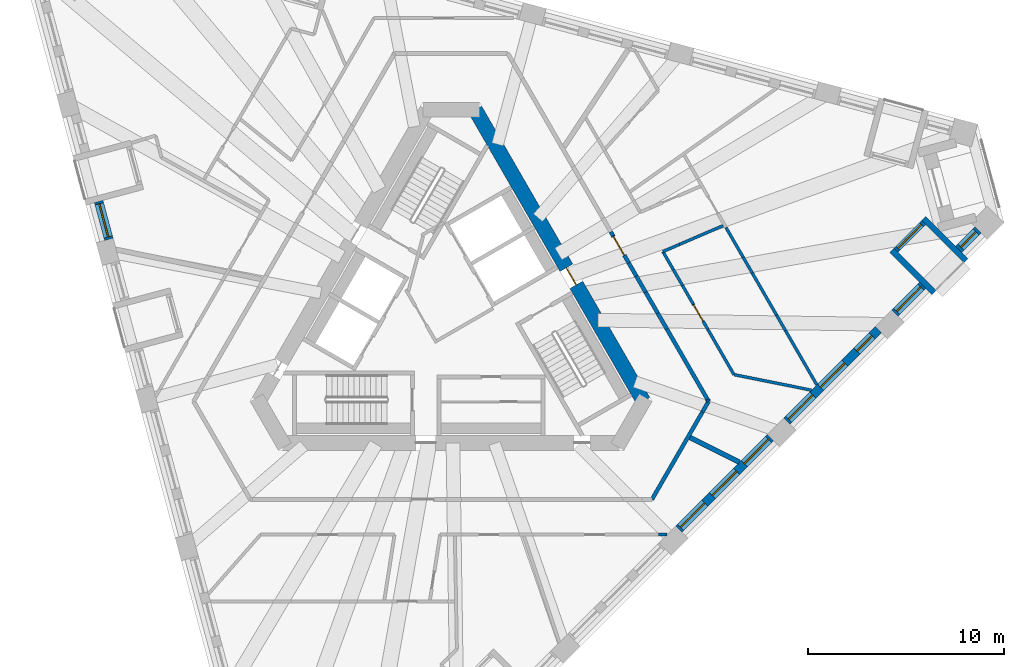
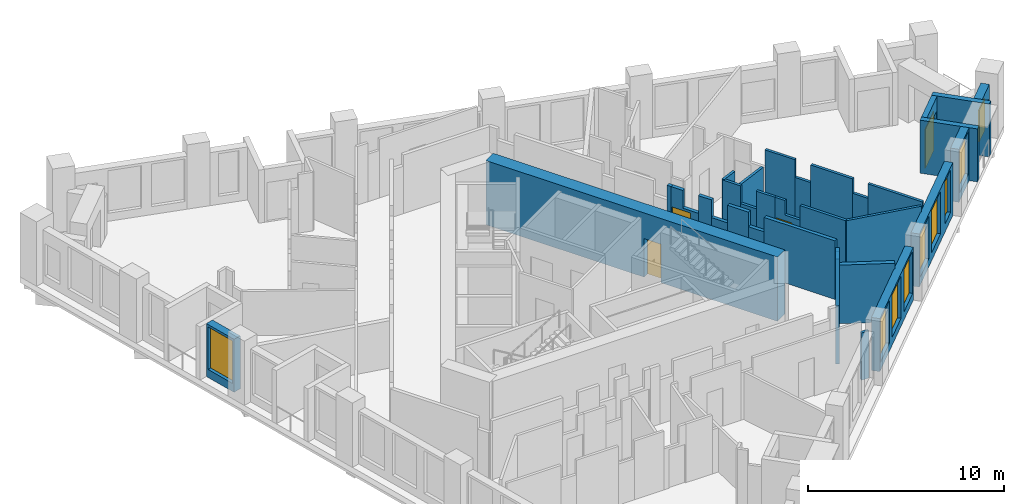
# One storey, part 5 of 13: 34 walls, 9 windows, 4 doors, 13 openings.
"""IFC4 building model written with IfcOpenShell, lengths in metres."""

from ifc_helpers import new_model, si_unit, direction, frame, frame_2d, origin, place, context, subcontext, project, spatial, polyline, rectangle, outline, extrude, material, layer, layer_set, type_object, element, fill, save


model = new_model("IFC4")

# Units and contexts
model_context = context("Model", 3, precision=1e-05, world=origin(), true_north=direction((0.0, 1.0)))
body_context = subcontext(model_context, "Body", "Model", "MODEL_VIEW")
ifc_project = project(units=[si_unit("LENGTHUNIT", "METRE"), si_unit("AREAUNIT", "SQUARE_METRE"), si_unit("VOLUMEUNIT", "CUBIC_METRE"), si_unit("PLANEANGLEUNIT", "RADIAN"), si_unit("MASSUNIT", "GRAM", prefix="KILO")], contexts=[model_context])

# Site, building, storey
site_placement = place(None, origin())
site = spatial("IfcSite", under=ifc_project, at=site_placement, CompositionType="ELEMENT")
building_placement = place(site_placement, origin())
building = spatial("IfcBuilding", under=site, at=building_placement, Name="Tramontana Tower", CompositionType="ELEMENT")
storey_placement = place(building_placement, frame((0.0, 0.0, 224.0)))
storey = spatial("IfcBuildingStorey", under=building, at=storey_placement, Name="L52", CompositionType="ELEMENT", Elevation=224.0)

# Wall, opening, door
ifc_material_1 = material(Name="Concrete 70 MPa", Category="concrete")
ifc_layer_1 = layer(ifc_material_1, 0.75)
ifc_layer_set_1 = layer_set([ifc_layer_1], Name="Core wall 750 70 MPa")
wall_type_1 = type_object("IfcWallType", Name="Core wall 750 70 MPa", PredefinedType="SHEAR", material=ifc_layer_set_1)
wall_1_placement = place(storey_placement, frame((9.81494140625, -4.25, 0.0), z_axis=(0.0, 0.0, 1.0), x_axis=(-0.500002161919, 0.866024155596, 0.0)))
wall_1 = element("IfcWall", 1, at=wall_1_placement, inside=storey, type_object=wall_type_1, Name="Core wall C5 L52", PredefinedType="SHEAR", context=body_context, shape_type="SweptSolid", body=[
    extrude(rectangle(XDim=17.17626953125, YDim=0.75, at=frame_2d((8.588134765625, 0.0))), origin(), (0.0, 0.0, 1.0), 4.0),
])
opening_1_placement = place(wall_1_placement, frame((6.863037109375, 0.0, 0.0)))
opening_1 = element("IfcOpeningElement", 2, at=opening_1_placement, cuts=wall_1, Name="Opening RG3", PredefinedType="OPENING", context=body_context, shape_type="SweptSolid", body=[
    extrude(rectangle(XDim=1.0, YDim=2.39990234375, at=frame_2d((0.5, 1.199951171875))), frame((0.0, 0.385009765625, 0.0), z_axis=(0.0, -1.0, 0.0), x_axis=(1.0, 0.0, 0.0)), (0.0, 0.0, 1.0), 0.77001953125),
])
ifc_material_2 = material(Name="Painted steel", Category="steel")
door_type_1 = type_object("IfcDoorType", Name="RING DOOR 1000", OperationType="SINGLE_SWING_LEFT", PredefinedType="DOOR", material=ifc_material_2)
door_1_placement = place(opening_1_placement, origin())
door_1 = element("IfcDoor", 3, at=door_1_placement, inside=storey, type_object=door_type_1, Name="Door RG3", OperationType="SINGLE_SWING_RIGHT", OverallHeight=2.39990234375, OverallWidth=1.0, PredefinedType="DOOR", context=body_context, shape_type="SweptSolid", body=[
    extrude(rectangle(XDim=1.0, YDim=2.39990234375, at=frame_2d((0.5, 1.199951171875))), frame((0.0, 0.02490234375, 0.0), z_axis=(0.0, -1.0, 0.0), x_axis=(1.0, 0.0, 0.0)), (0.0, 0.0, 1.0), 0.050048828125),
])
fill(opening_1, door_1)

# Wall
ifc_material_3 = material(Name="Blockwork", Category="masonry")
ifc_layer_2 = layer(ifc_material_3, 0.199951171875)
ifc_layer_set_2 = layer_set([ifc_layer_2], Name="ENTRY WALL 200")
wall_type_2 = type_object("IfcWallType", Name="ENTRY WALL 200", PredefinedType="SOLIDWALL", material=ifc_layer_set_2)
wall_2_placement = place(storey_placement, frame((8.143310546875, 4.3955078125, 0.0), z_axis=(0.0, 0.0, 1.0), x_axis=(0.499230902886, -0.866468987099, 0.0)))
element("IfcWall", 4, at=wall_2_placement, inside=storey, type_object=wall_type_2, Name="Wall v52-ew0-6", PredefinedType="SOLIDWALL", context=body_context, shape_type="SweptSolid", body=[
    extrude(rectangle(XDim=0.229248046875, YDim=0.199951171875, at=frame_2d((0.11474609375, 0.0))), origin(), (0.0, 0.0, 1.0), 3.64990234375),
])

# Wall, opening, door
wall_3_placement = place(storey_placement, frame((8.2578125, 4.19677734375, 0.0), z_axis=(0.0, 0.0, 1.0), x_axis=(0.500138504756, -0.865945423257, 0.0)))
wall_3 = element("IfcWall", 5, at=wall_3_placement, inside=storey, type_object=wall_type_2, Name="Wall v52-ew0-7", PredefinedType="SOLIDWALL", context=body_context, shape_type="SweptSolid", body=[
    extrude(outline(polyline([(0.0, 0.0), (1.6083984375, 0.0), (1.608642578125, 2.550048828125), (0.6943359375, 2.550048828125), (0.6943359375, 3.64990234375), (0.0, 3.64990234375), (0.0, 0.0)])), frame((0.0, 0.10009765625, 0.0), z_axis=(0.0, -1.0, 0.0), x_axis=(1.0, 0.0, 0.0)), (0.0, 0.0, 1.0), 0.199951171875),
])
opening_2_placement = place(wall_3_placement, frame((0.050048828125, 0.0, 0.0)))
opening_2 = element("IfcOpeningElement", 6, at=opening_2_placement, cuts=wall_3, Name="Opening B5C-19", PredefinedType="OPENING", context=body_context, shape_type="SweptSolid", body=[
    extrude(rectangle(XDim=1.10009765625, YDim=2.39990234375, at=frame_2d((0.550048828125, 1.199951171875))), frame((0.0, 0.10986328125, 0.0), z_axis=(0.0, -1.0, 0.0), x_axis=(1.0, 0.0, 0.0)), (0.0, 0.0, 1.0), 0.219970703125),
])
ifc_material_4 = material(Name="Painted timber", Category="wood")
door_type_2 = type_object("IfcDoorType", Name="DOOR ENTRY 1100", OperationType="SINGLE_SWING_LEFT", PredefinedType="DOOR", material=ifc_material_4)
door_2_placement = place(opening_2_placement, origin())
door_2 = element("IfcDoor", 7, at=door_2_placement, inside=storey, type_object=door_type_2, Name="Door B5C-19", OperationType="SINGLE_SWING_LEFT", OverallHeight=2.39990234375, OverallWidth=1.10009765625, PredefinedType="DOOR", context=body_context, shape_type="SweptSolid", body=[
    extrude(rectangle(XDim=1.10009765625, YDim=2.39990234375, at=frame_2d((0.550048828125, 1.199951171875))), frame((0.0, 0.02490234375, 0.0), z_axis=(0.0, -1.0, 0.0), x_axis=(1.0, 0.0, 0.0)), (0.0, 0.0, 1.0), 0.050048828125),
])
fill(opening_2, door_2)

# Walls
wall_4_placement = place(storey_placement, frame((9.062255859375, 2.803955078125, 0.0), z_axis=(0.0, 0.0, 1.0), x_axis=(0.499997253739, -0.866026989333, 0.0)))
element("IfcWall", 8, at=wall_4_placement, inside=storey, type_object=wall_type_2, Name="Wall v52-ew0-8", PredefinedType="SOLIDWALL", context=body_context, shape_type="SweptSolid", body=[
    extrude(rectangle(XDim=0.76904296875, YDim=0.199951171875, at=frame_2d((0.384521484375, 0.0))), origin(), (0.0, 0.0, 1.0), 3.64990234375),
])
wall_5_placement = place(storey_placement, frame((9.44677734375, 2.137939453125, 0.0), z_axis=(0.0, 0.0, 1.0), x_axis=(0.499869636591, -0.866100656052, 0.0)))
element("IfcWall", 9, at=wall_5_placement, inside=storey, type_object=wall_type_2, Name="Wall v52-ew0-9", PredefinedType="SOLIDWALL", context=body_context, shape_type="SweptSolid", body=[
    extrude(rectangle(XDim=0.957275390625, YDim=0.199951171875, at=frame_2d((0.478515625, 0.0))), origin(), (0.0, 0.0, 1.0), 2.550048828125),
])
wall_6_placement = place(storey_placement, frame((9.92529296875, 1.308837890625, 0.0), z_axis=(0.0, 0.0, 1.0), x_axis=(0.500055461028, -0.865993380977, 0.0)))
element("IfcWall", 10, at=wall_6_placement, inside=storey, type_object=wall_type_2, Name="Wall v52-ew0-10", PredefinedType="SOLIDWALL", context=body_context, shape_type="SweptSolid", body=[
    extrude(rectangle(XDim=1.226806640625, YDim=0.199951171875, at=frame_2d((0.61328125, 0.0))), origin(), (0.0, 0.0, 1.0), 3.64990234375),
])
wall_7_placement = place(storey_placement, frame((10.538818359375, 0.246337890625, 0.0), z_axis=(0.0, 0.0, 1.0), x_axis=(0.499971966783, -0.866041588165, 0.0)))
element("IfcWall", 11, at=wall_7_placement, inside=storey, type_object=wall_type_2, Name="Wall v52-ew0-11", PredefinedType="SOLIDWALL", context=body_context, shape_type="SweptSolid", body=[
    extrude(rectangle(XDim=0.931640625, YDim=0.199951171875, at=frame_2d((0.4658203125, 0.0))), origin(), (0.0, 0.0, 1.0), 2.75),
])
wall_8_placement = place(storey_placement, frame((11.004638671875, -0.560546875, 0.0), z_axis=(0.0, 0.0, 1.0), x_axis=(0.499993700073, -0.866029041019, 0.0)))
element("IfcWall", 12, at=wall_8_placement, inside=storey, type_object=wall_type_2, Name="Wall v52-ew0-12", PredefinedType="SOLIDWALL", context=body_context, shape_type="SweptSolid", body=[
    extrude(rectangle(XDim=4.1552734375, YDim=0.199951171875, at=frame_2d((2.07763671875, 0.0))), origin(), (0.0, 0.0, 1.0), 3.64990234375),
])
wall_9_placement = place(storey_placement, frame((13.082275390625, -4.1591796875, 0.0), z_axis=(0.0, 0.0, 1.0), x_axis=(0.500393920955, -0.865797853931, 0.0)))
element("IfcWall", 13, at=wall_9_placement, inside=storey, type_object=wall_type_2, Name="Wall v52-ew0-13", PredefinedType="SOLIDWALL", context=body_context, shape_type="SweptSolid", body=[
    extrude(rectangle(XDim=0.10498046875, YDim=0.199951171875, at=frame_2d((0.052490234375, 0.0))), origin(), (0.0, 0.0, 1.0), 2.949951171875),
])
wall_10_placement = place(storey_placement, frame((13.134765625, -4.25, 0.0), z_axis=(0.0, 0.0, 1.0), x_axis=(-0.500018234033, -0.866014876105, 0.0)))
element("IfcWall", 14, at=wall_10_placement, inside=storey, type_object=wall_type_2, Name="Wall v52-ew1-0", PredefinedType="SOLIDWALL", context=body_context, shape_type="SweptSolid", body=[
    extrude(rectangle(XDim=0.64306640625, YDim=0.199951171875, at=frame_2d((0.321533203125, 0.0))), origin(), (0.0, 0.0, 1.0), 2.949951171875),
])
wall_11_placement = place(storey_placement, frame((12.813232421875, -4.806884765625, 0.0), z_axis=(0.0, 0.0, 1.0), x_axis=(-0.499992949462, -0.866029474376, 0.0)))
element("IfcWall", 15, at=wall_11_placement, inside=storey, type_object=wall_type_2, Name="Wall v52-ew1-1", PredefinedType="SOLIDWALL", context=body_context, shape_type="SweptSolid", body=[
    extrude(rectangle(XDim=5.13037109375, YDim=0.199951171875, at=frame_2d((2.565185546875, 0.0))), origin(), (0.0, 0.0, 1.0), 3.64990234375),
])

# Wall, opening, window
ifc_material_5 = material(Name="Precast concrete 60 MPa", Category="concrete")
ifc_layer_3 = layer(ifc_material_5, 0.449951171875)
ifc_layer_set_3 = layer_set([ifc_layer_3], Name="Precast concrete 60 MPa, 450 mm")
wall_type_3 = type_object("IfcWallType", Name="EW1 Stone-faced precast wall 450", PredefinedType="SOLIDWALL", material=ifc_layer_set_3)
wall_12_placement = place(storey_placement, frame((-17.9755859375, 5.9423828125, 0.0), z_axis=(0.0, 0.0, 1.0), x_axis=(0.25891727291, -0.965899500874, 0.0)))
wall_12 = element("IfcWall", 16, at=wall_12_placement, inside=storey, type_object=wall_type_3, Name="External wall L52 face 0 bay 2", PredefinedType="SOLIDWALL", context=body_context, shape_type="SweptSolid", body=[
    extrude(rectangle(XDim=1.998046875, YDim=0.449951171875, at=frame_2d((0.9990234375, 0.0))), origin(), (0.0, 0.0, 1.0), 3.300048828125),
])
opening_3_placement = place(wall_12_placement, frame((0.1240234375, 0.0, 0.5)))
opening_3 = element("IfcOpeningElement", 17, at=opening_3_placement, cuts=wall_12, Name="Opening M2", PredefinedType="OPENING", context=body_context, shape_type="SweptSolid", body=[
    extrude(rectangle(XDim=1.75, YDim=2.64990234375, at=frame_2d((0.875, 1.324951171875))), frame((0.0, 0.23486328125, 0.0), z_axis=(0.0, -1.0, 0.0), x_axis=(1.0, 0.0, 0.0)), (0.0, 0.0, 1.0), 0.469970703125),
])
ifc_material_6 = material(Name="Aluminum frame, double glazing unit", Category="aluminium")
window_type_1 = type_object("IfcWindowType", Name="M2 Window 1.75 x 2.65", PartitioningType="SINGLE_PANEL", PredefinedType="WINDOW", material=ifc_material_6)
window_1_placement = place(opening_3_placement, origin())
window_1 = element("IfcWindow", 18, at=window_1_placement, inside=storey, type_object=window_type_1, Name="Window M2 L52 face 0 module 6", OverallHeight=2.64990234375, OverallWidth=1.75, PartitioningType="SINGLE_PANEL", PredefinedType="WINDOW", context=body_context, shape_type="SweptSolid", body=[
    extrude(rectangle(XDim=1.75, YDim=2.64990234375, at=frame_2d((0.875, 1.324951171875))), frame((0.0, 0.030029296875, 0.0), z_axis=(0.0, -1.0, 0.0), x_axis=(1.0, 0.0, 0.0)), (0.0, 0.0, 1.0), 0.06005859375),
])
fill(opening_3, window_1)

# Wall, openings, windows
wall_13_placement = place(storey_placement, frame((11.6142578125, -10.765625, 0.0), z_axis=(0.0, 0.0, 1.0), x_axis=(0.707106781187, 0.707106781187, 0.0)))
wall_13 = element("IfcWall", 19, at=wall_13_placement, inside=storey, type_object=wall_type_3, Name="External wall L52 face 1 bay 4", PredefinedType="SOLIDWALL", context=body_context, shape_type="SweptSolid", body=[
    extrude(rectangle(XDim=6.59423828125, YDim=0.449951171875, at=frame_2d((3.297119140625, 0.0))), origin(), (0.0, 0.0, 1.0), 3.300048828125),
])
opening_4_placement = place(wall_13_placement, frame((0.1240234375, 0.0, 0.5)))
opening_4 = element("IfcOpeningElement", 20, at=opening_4_placement, cuts=wall_13, Name="Opening M2", PredefinedType="OPENING", context=body_context, shape_type="SweptSolid", body=[
    extrude(rectangle(XDim=1.75, YDim=2.64990234375, at=frame_2d((0.875, 1.324951171875))), frame((0.0, 0.23486328125, 0.0), z_axis=(0.0, -1.0, 0.0), x_axis=(1.0, 0.0, 0.0)), (0.0, 0.0, 1.0), 0.469970703125),
])
opening_5_placement = place(wall_13_placement, frame((2.422119140625, 0.0, 0.5)))
opening_5 = element("IfcOpeningElement", 21, at=opening_5_placement, cuts=wall_13, Name="Opening M2", PredefinedType="OPENING", context=body_context, shape_type="SweptSolid", body=[
    extrude(rectangle(XDim=1.75, YDim=2.64990234375, at=frame_2d((0.875, 1.324951171875))), frame((0.0, 0.23486328125, 0.0), z_axis=(0.0, -1.0, 0.0), x_axis=(1.0, 0.0, 0.0)), (0.0, 0.0, 1.0), 0.469970703125),
])
opening_6_placement = place(wall_13_placement, frame((4.72021484375, 0.0, 0.5)))
opening_6 = element("IfcOpeningElement", 22, at=opening_6_placement, cuts=wall_13, Name="Opening M2", PredefinedType="OPENING", context=body_context, shape_type="SweptSolid", body=[
    extrude(rectangle(XDim=1.75, YDim=2.64990234375, at=frame_2d((0.875, 1.324951171875))), frame((0.0, 0.23486328125, 0.0), z_axis=(0.0, -1.0, 0.0), x_axis=(1.0, 0.0, 0.0)), (0.0, 0.0, 1.0), 0.469970703125),
])
window_2_placement = place(opening_4_placement, origin())
window_2 = element("IfcWindow", 23, at=window_2_placement, inside=storey, type_object=window_type_1, Name="Window M2 L52 face 1 module 10", OverallHeight=2.64990234375, OverallWidth=1.75, PartitioningType="SINGLE_PANEL", PredefinedType="WINDOW", context=body_context, shape_type="SweptSolid", body=[
    extrude(rectangle(XDim=1.75, YDim=2.64990234375, at=frame_2d((0.875, 1.324951171875))), frame((0.0, 0.030029296875, 0.0), z_axis=(0.0, -1.0, 0.0), x_axis=(1.0, 0.0, 0.0)), (0.0, 0.0, 1.0), 0.06005859375),
])
fill(opening_4, window_2)
window_3_placement = place(opening_5_placement, origin())
window_3 = element("IfcWindow", 24, at=window_3_placement, inside=storey, type_object=window_type_1, Name="Window M2 L52 face 1 module 11", OverallHeight=2.64990234375, OverallWidth=1.75, PartitioningType="SINGLE_PANEL", PredefinedType="WINDOW", context=body_context, shape_type="SweptSolid", body=[
    extrude(rectangle(XDim=1.75, YDim=2.64990234375, at=frame_2d((0.875, 1.324951171875))), frame((0.0, 0.030029296875, 0.0), z_axis=(0.0, -1.0, 0.0), x_axis=(1.0, 0.0, 0.0)), (0.0, 0.0, 1.0), 0.06005859375),
])
fill(opening_5, window_3)
window_4_placement = place(opening_6_placement, origin())
window_4 = element("IfcWindow", 25, at=window_4_placement, inside=storey, type_object=window_type_1, Name="Window M2 L52 face 1 module 12", OverallHeight=2.64990234375, OverallWidth=1.75, PartitioningType="SINGLE_PANEL", PredefinedType="WINDOW", context=body_context, shape_type="SweptSolid", body=[
    extrude(rectangle(XDim=1.75, YDim=2.64990234375, at=frame_2d((0.875, 1.324951171875))), frame((0.0, 0.030029296875, 0.0), z_axis=(0.0, -1.0, 0.0), x_axis=(1.0, 0.0, 0.0)), (0.0, 0.0, 1.0), 0.06005859375),
])
fill(opening_6, window_4)

wall_14_placement = place(storey_placement, frame((17.12548828125, -5.25439453125, 0.0), z_axis=(0.0, 0.0, 1.0), x_axis=(0.707106781187, 0.707106781187, 0.0)))
wall_14 = element("IfcWall", 26, at=wall_14_placement, inside=storey, type_object=wall_type_3, Name="External wall L52 face 1 bay 5", PredefinedType="SOLIDWALL", context=body_context, shape_type="SweptSolid", body=[
    extrude(rectangle(XDim=6.59423828125, YDim=0.449951171875, at=frame_2d((3.297119140625, 0.0))), origin(), (0.0, 0.0, 1.0), 3.300048828125),
])
opening_7_placement = place(wall_14_placement, frame((0.1240234375, 0.0, 0.5)))
opening_7 = element("IfcOpeningElement", 27, at=opening_7_placement, cuts=wall_14, Name="Opening M2", PredefinedType="OPENING", context=body_context, shape_type="SweptSolid", body=[
    extrude(rectangle(XDim=1.75, YDim=2.64990234375, at=frame_2d((0.875, 1.324951171875))), frame((0.0, 0.23486328125, 0.0), z_axis=(0.0, -1.0, 0.0), x_axis=(1.0, 0.0, 0.0)), (0.0, 0.0, 1.0), 0.469970703125),
])
opening_8_placement = place(wall_14_placement, frame((2.422119140625, 0.0, 0.5)))
opening_8 = element("IfcOpeningElement", 28, at=opening_8_placement, cuts=wall_14, Name="Opening M2", PredefinedType="OPENING", context=body_context, shape_type="SweptSolid", body=[
    extrude(rectangle(XDim=1.75, YDim=2.64990234375, at=frame_2d((0.875, 1.324951171875))), frame((0.0, 0.23486328125, 0.0), z_axis=(0.0, -1.0, 0.0), x_axis=(1.0, 0.0, 0.0)), (0.0, 0.0, 1.0), 0.469970703125),
])
opening_9_placement = place(wall_14_placement, frame((5.045166015625, 0.0, 0.5)))
opening_9 = element("IfcOpeningElement", 29, at=opening_9_placement, cuts=wall_14, Name="Opening N2", PredefinedType="OPENING", context=body_context, shape_type="SweptSolid", body=[
    extrude(rectangle(XDim=1.10009765625, YDim=2.64990234375, at=frame_2d((0.550048828125, 1.324951171875))), frame((0.0, 0.23486328125, 0.0), z_axis=(0.0, -1.0, 0.0), x_axis=(1.0, 0.0, 0.0)), (0.0, 0.0, 1.0), 0.469970703125),
])
window_5_placement = place(opening_7_placement, origin())
window_5 = element("IfcWindow", 30, at=window_5_placement, inside=storey, type_object=window_type_1, Name="Window M2 L52 face 1 module 13", OverallHeight=2.64990234375, OverallWidth=1.75, PartitioningType="SINGLE_PANEL", PredefinedType="WINDOW", context=body_context, shape_type="SweptSolid", body=[
    extrude(rectangle(XDim=1.75, YDim=2.64990234375, at=frame_2d((0.875, 1.324951171875))), frame((0.0, 0.030029296875, 0.0), z_axis=(0.0, -1.0, 0.0), x_axis=(1.0, 0.0, 0.0)), (0.0, 0.0, 1.0), 0.06005859375),
])
fill(opening_7, window_5)
window_6_placement = place(opening_8_placement, origin())
window_6 = element("IfcWindow", 31, at=window_6_placement, inside=storey, type_object=window_type_1, Name="Window M2 L52 face 1 module 14", OverallHeight=2.64990234375, OverallWidth=1.75, PartitioningType="SINGLE_PANEL", PredefinedType="WINDOW", context=body_context, shape_type="SweptSolid", body=[
    extrude(rectangle(XDim=1.75, YDim=2.64990234375, at=frame_2d((0.875, 1.324951171875))), frame((0.0, 0.030029296875, 0.0), z_axis=(0.0, -1.0, 0.0), x_axis=(1.0, 0.0, 0.0)), (0.0, 0.0, 1.0), 0.06005859375),
])
fill(opening_8, window_6)
ifc_material_7 = material(Name="Aluminum frame, double glazing unit", Category="aluminium")
window_type_2 = type_object("IfcWindowType", Name="N2 Window 1.1 x 2.65", PartitioningType="SINGLE_PANEL", PredefinedType="WINDOW", material=ifc_material_7)
window_7_placement = place(opening_9_placement, origin())
window_7 = element("IfcWindow", 32, at=window_7_placement, inside=storey, type_object=window_type_2, Name="Window N2 L52 face 1 module 15", OverallHeight=2.64990234375, OverallWidth=1.10009765625, PartitioningType="SINGLE_PANEL", PredefinedType="WINDOW", context=body_context, shape_type="SweptSolid", body=[
    extrude(rectangle(XDim=1.10009765625, YDim=2.64990234375, at=frame_2d((0.550048828125, 1.324951171875))), frame((0.0, 0.030029296875, 0.0), z_axis=(0.0, -1.0, 0.0), x_axis=(1.0, 0.0, 0.0)), (0.0, 0.0, 1.0), 0.06005859375),
])
fill(opening_9, window_7)

# Wall, opening, window
wall_15_placement = place(storey_placement, frame((22.636962890625, 0.257080078125, 0.0), z_axis=(0.0, 0.0, 1.0), x_axis=(0.707106781187, 0.707106781187, 0.0)))
wall_15 = element("IfcWall", 33, at=wall_15_placement, inside=storey, type_object=wall_type_3, Name="External wall L52 face 1 bay 6", PredefinedType="SOLIDWALL", context=body_context, shape_type="SweptSolid", body=[
    extrude(rectangle(XDim=1.998046875, YDim=0.449951171875, at=frame_2d((0.9990234375, 0.0))), origin(), (0.0, 0.0, 1.0), 3.300048828125),
])
opening_10_placement = place(wall_15_placement, frame((0.1240234375, 0.0, 0.5)))
opening_10 = element("IfcOpeningElement", 34, at=opening_10_placement, cuts=wall_15, Name="Opening M2", PredefinedType="OPENING", context=body_context, shape_type="SweptSolid", body=[
    extrude(rectangle(XDim=1.75, YDim=2.64990234375, at=frame_2d((0.875, 1.324951171875))), frame((0.0, 0.23486328125, 0.0), z_axis=(0.0, -1.0, 0.0), x_axis=(1.0, 0.0, 0.0)), (0.0, 0.0, 1.0), 0.469970703125),
])
window_8_placement = place(opening_10_placement, origin())
window_8 = element("IfcWindow", 35, at=window_8_placement, inside=storey, type_object=window_type_1, Name="Window M2 L52 face 1 module 16", OverallHeight=2.64990234375, OverallWidth=1.75, PartitioningType="SINGLE_PANEL", PredefinedType="WINDOW", context=body_context, shape_type="SweptSolid", body=[
    extrude(rectangle(XDim=1.75, YDim=2.64990234375, at=frame_2d((0.875, 1.324951171875))), frame((0.0, 0.030029296875, 0.0), z_axis=(0.0, -1.0, 0.0), x_axis=(1.0, 0.0, 0.0)), (0.0, 0.0, 1.0), 0.06005859375),
])
fill(opening_10, window_8)

wall_16_placement = place(storey_placement, frame((25.886962890625, 3.507080078125, 0.0), z_axis=(0.0, 0.0, 1.0), x_axis=(0.707106781187, 0.707106781187, 0.0)))
wall_16 = element("IfcWall", 36, at=wall_16_placement, inside=storey, type_object=wall_type_3, Name="External wall L52 face 1 bay 6", PredefinedType="SOLIDWALL", context=body_context, shape_type="SweptSolid", body=[
    extrude(rectangle(XDim=1.39794921875, YDim=0.449951171875, at=frame_2d((0.698974609375, 0.0))), origin(), (0.0, 0.0, 1.0), 3.300048828125),
])
opening_11_placement = place(wall_16_placement, frame((0.14892578125, 0.0, 0.5)))
opening_11 = element("IfcOpeningElement", 37, at=opening_11_placement, cuts=wall_16, Name="Opening N2L", PredefinedType="OPENING", context=body_context, shape_type="SweptSolid", body=[
    extrude(rectangle(XDim=1.10009765625, YDim=2.0, at=frame_2d((0.550048828125, 1.0))), frame((0.0, 0.23486328125, 0.0), z_axis=(0.0, -1.0, 0.0), x_axis=(1.0, 0.0, 0.0)), (0.0, 0.0, 1.0), 0.469970703125),
])
ifc_material_8 = material(Name="Aluminum frame, double glazing unit", Category="aluminium")
window_type_3 = type_object("IfcWindowType", Name="N2L Window 1.1 x 2", PartitioningType="SINGLE_PANEL", PredefinedType="WINDOW", material=ifc_material_8)
window_9_placement = place(opening_11_placement, origin())
window_9 = element("IfcWindow", 38, at=window_9_placement, inside=storey, type_object=window_type_3, Name="Window N2L L52 face 1 module 18", OverallHeight=2.0, OverallWidth=1.10009765625, PartitioningType="SINGLE_PANEL", PredefinedType="WINDOW", context=body_context, shape_type="SweptSolid", body=[
    extrude(rectangle(XDim=1.10009765625, YDim=2.0, at=frame_2d((0.550048828125, 1.0))), frame((0.0, 0.030029296875, 0.0), z_axis=(0.0, -1.0, 0.0), x_axis=(1.0, 0.0, 0.0)), (0.0, 0.0, 1.0), 0.06005859375),
])
fill(opening_11, window_9)

# Wall, opening, door
ifc_material_9 = material(Name="Precast concrete 60 MPa", Category="concrete")
ifc_layer_4 = layer(ifc_material_9, 0.300048828125)
ifc_layer_set_4 = layer_set([ifc_layer_4], Name="LW1 Stone-faced loggia wall 300")
wall_type_4 = type_object("IfcWallType", Name="LW1 Stone-faced loggia wall 300", PredefinedType="SOLIDWALL", material=ifc_layer_set_4)
wall_17_placement = place(storey_placement, frame((22.688720703125, 3.455322265625, 0.0), z_axis=(0.0, 0.0, 1.0), x_axis=(0.707106781187, 0.707106781187, 0.0)))
wall_17 = element("IfcWall", 39, at=wall_17_placement, inside=storey, type_object=wall_type_4, Name="Loggia wall L52 G5S1.16", PredefinedType="SOLIDWALL", context=body_context, shape_type="SweptSolid", body=[
    extrude(rectangle(XDim=1.998046875, YDim=0.300048828125, at=frame_2d((0.9990234375, 0.0))), origin(), (0.0, 0.0, 1.0), 3.300048828125),
])
opening_12_placement = place(wall_17_placement, frame((0.14892578125, 0.0, 0.0)))
opening_12 = element("IfcOpeningElement", 40, at=opening_12_placement, cuts=wall_17, Name="Opening BD-5S1-16", PredefinedType="OPENING", context=body_context, shape_type="SweptSolid", body=[
    extrude(rectangle(XDim=1.699951171875, YDim=2.449951171875, at=frame_2d((0.85009765625, 1.22509765625))), frame((0.0, 0.159912109375, 0.0), z_axis=(0.0, -1.0, 0.0), x_axis=(1.0, 0.0, 0.0)), (0.0, 0.0, 1.0), 0.320068359375),
])
ifc_material_10 = material(Name="Aluminum frame, double glazing unit", Category="aluminium")
door_type_3 = type_object("IfcDoorType", Name="BD2 Sliding door 1.7 x 2.45", OperationType="SLIDING_TO_LEFT", PredefinedType="DOOR", material=ifc_material_10)
door_3_placement = place(opening_12_placement, origin())
door_3 = element("IfcDoor", 41, at=door_3_placement, inside=storey, type_object=door_type_3, Name="Loggia door L52 G5S1.16", OperationType="SLIDING_TO_LEFT", OverallHeight=2.449951171875, OverallWidth=1.699951171875, PredefinedType="DOOR", context=body_context, shape_type="SweptSolid", body=[
    extrude(rectangle(XDim=1.699951171875, YDim=2.449951171875, at=frame_2d((0.85009765625, 1.22509765625))), frame((0.0, 0.02490234375, 0.0), z_axis=(0.0, -1.0, 0.0), x_axis=(1.0, 0.0, 0.0)), (0.0, 0.0, 1.0), 0.050048828125),
])
fill(opening_12, door_3)

# Walls
for number, where, z_axis, x_axis, name in (
    (42, (24.633056640625, 1.298583984375, 0.0), (0.0, 0.0, 1.0), (-0.707066755897, 0.707146804211, 0.0), "Loggia return L52 G5S1.16a"),
    (43, (26.258056640625, 2.923583984375, 0.0), (0.0, 0.0, 1.0), (-0.707066755897, 0.707146804211, 0.0), "Loggia return L52 G5S1.16b"),
):
    element("IfcWall", number, at=place(storey_placement, frame(where, z_axis=z_axis, x_axis=x_axis)), inside=storey, type_object=wall_type_4, Name=name, PredefinedType="SOLIDWALL", context=body_context, shape_type="SweptSolid", body=[
        extrude(rectangle(XDim=3.0498046875, YDim=0.300048828125, at=frame_2d((1.52490234375, 0.0))), origin(), (0.0, 0.0, 1.0), 3.300048828125),
    ])
ifc_material_11 = material(Name="Gypsum board partition")
ifc_layer_5 = layer(ifc_material_11, 0.14990234375)
ifc_layer_set_5 = layer_set([ifc_layer_5], Name="PARTITION 150")
wall_type_5 = type_object("IfcWallType", Name="PARTITION 150", PredefinedType="PARTITIONING", material=ifc_layer_set_5)
wall_18_placement = place(storey_placement, frame((10.803466796875, 3.387939453125, 0.0), z_axis=(0.0, 0.0, 1.0), x_axis=(0.499920058375, -0.866071553184, 0.0)))
element("IfcWall", 44, at=wall_18_placement, inside=storey, type_object=wall_type_5, Name="Wall v52-pw31-0", PredefinedType="PARTITIONING", context=body_context, shape_type="SweptSolid", body=[
    extrude(rectangle(XDim=1.069580078125, YDim=0.14990234375, at=frame_2d((0.53466796875, 0.0))), origin(), (0.0, 0.0, 1.0), 3.64990234375),
])
wall_19_placement = place(storey_placement, frame((11.338134765625, 2.461669921875, 0.0), z_axis=(0.0, 0.0, 1.0), x_axis=(0.500032811619, -0.866006459158, 0.0)))
element("IfcWall", 45, at=wall_19_placement, inside=storey, type_object=wall_type_5, Name="Wall v52-pw31-1", PredefinedType="PARTITIONING", context=body_context, shape_type="SweptSolid", body=[
    extrude(rectangle(XDim=0.9306640625, YDim=0.14990234375, at=frame_2d((0.46533203125, 0.0))), origin(), (0.0, 0.0, 1.0), 2.550048828125),
])
wall_20_placement = place(storey_placement, frame((11.803466796875, 1.65576171875, 0.0), z_axis=(0.0, 0.0, 1.0), x_axis=(0.500055614084, -0.865993292597, 0.0)))
element("IfcWall", 46, at=wall_20_placement, inside=storey, type_object=wall_type_5, Name="Wall v52-pw31-2", PredefinedType="PARTITIONING", context=body_context, shape_type="SweptSolid", body=[
    extrude(rectangle(XDim=1.099365234375, YDim=0.14990234375, at=frame_2d((0.5498046875, 0.0))), origin(), (0.0, 0.0, 1.0), 3.64990234375),
])

# Wall, opening, door
wall_21_placement = place(storey_placement, frame((12.353271484375, 0.70361328125, 0.0), z_axis=(0.0, 0.0, 1.0), x_axis=(0.49996987118, -0.866042797968, 0.0)))
wall_21 = element("IfcWall", 47, at=wall_21_placement, inside=storey, type_object=wall_type_5, Name="Wall v52-pw31-3", PredefinedType="PARTITIONING", context=body_context, shape_type="SweptSolid", body=[
    extrude(outline(polyline([(0.0, 0.0), (1.48046875, 0.0), (1.48046875, 2.75), (0.577880859375, 2.75), (0.577880859375, 3.64990234375), (0.0, 3.64990234375), (0.0, 0.0)])), frame((0.0, 0.074951171875, 0.0), z_axis=(0.0, -1.0, 0.0), x_axis=(1.0, 0.0, 0.0)), (0.0, 0.0, 1.0), 0.14990234375),
])
opening_13_placement = place(wall_21_placement, frame((0.050048828125, 0.0, 0.0)))
opening_13 = element("IfcOpeningElement", 48, at=opening_13_placement, cuts=wall_21, Name="Opening B5C-12", PredefinedType="OPENING", context=body_context, shape_type="SweptSolid", body=[
    extrude(rectangle(XDim=0.949951171875, YDim=2.39990234375, at=frame_2d((0.47509765625, 1.199951171875))), frame((0.0, 0.0849609375, 0.0), z_axis=(0.0, -1.0, 0.0), x_axis=(1.0, 0.0, 0.0)), (0.0, 0.0, 1.0), 0.169921875),
])
ifc_material_12 = material(Name="Painted timber", Category="wood")
door_type_4 = type_object("IfcDoorType", Name="DOOR ROOM 950", OperationType="SINGLE_SWING_LEFT", PredefinedType="DOOR", material=ifc_material_12)
door_4_placement = place(opening_13_placement, origin())
door_4 = element("IfcDoor", 49, at=door_4_placement, inside=storey, type_object=door_type_4, Name="Door B5C-12", OperationType="SINGLE_SWING_RIGHT", OverallHeight=2.39990234375, OverallWidth=0.949951171875, PredefinedType="DOOR", context=body_context, shape_type="SweptSolid", body=[
    extrude(rectangle(XDim=0.949951171875, YDim=2.39990234375, at=frame_2d((0.47509765625, 1.199951171875))), frame((0.0, 0.02490234375, 0.0), z_axis=(0.0, -1.0, 0.0), x_axis=(1.0, 0.0, 0.0)), (0.0, 0.0, 1.0), 0.050048828125),
])
fill(opening_13, door_4)

# Walls
wall_22_placement = place(storey_placement, frame((13.093505859375, -0.57861328125, 0.0), z_axis=(0.0, 0.0, 1.0), x_axis=(0.499975827765, -0.866039359181, 0.0)))
element("IfcWall", 50, at=wall_22_placement, inside=storey, type_object=wall_type_5, Name="Wall v52-pw31-4", PredefinedType="PARTITIONING", context=body_context, shape_type="SweptSolid", body=[
    extrude(rectangle(XDim=2.669189453125, YDim=0.14990234375, at=frame_2d((1.33447265625, 0.0))), origin(), (0.0, 0.0, 1.0), 3.64990234375),
])
wall_23_placement = place(storey_placement, frame((11.01171875, -11.050048828125, 0.0), z_axis=(0.0, 0.0, 1.0), x_axis=(-1.0, 0.0, 0.0)))
element("IfcWall", 51, at=wall_23_placement, inside=storey, type_object=wall_type_5, Name="Wall v52-pw32-0", PredefinedType="PARTITIONING", context=body_context, shape_type="SweptSolid", body=[
    extrude(rectangle(XDim=0.43896484375, YDim=0.14990234375, at=frame_2d((0.219482421875, 0.0))), origin(), (0.0, 0.0, 1.0), 2.949951171875),
])
wall_24_placement = place(storey_placement, frame((14.021728515625, 4.613525390625, 0.0), z_axis=(0.0, 0.0, 1.0), x_axis=(0.500047902311, -0.865997745606, 0.0)))
element("IfcWall", 52, at=wall_24_placement, inside=storey, type_object=wall_type_5, Name="Wall v52-pw33-4", PredefinedType="PARTITIONING", context=body_context, shape_type="SweptSolid", body=[
    extrude(rectangle(XDim=1.753173828125, YDim=0.14990234375, at=frame_2d((0.87646484375, 0.0))), origin(), (0.0, 0.0, 1.0), 3.64990234375),
])
wall_25_placement = place(storey_placement, frame((14.8984375, 3.09521484375, 0.0), z_axis=(0.0, 0.0, 1.0), x_axis=(0.500032811619, -0.866006459158, 0.0)))
element("IfcWall", 53, at=wall_25_placement, inside=storey, type_object=wall_type_5, Name="Wall v52-pw33-5", PredefinedType="PARTITIONING", context=body_context, shape_type="SweptSolid", body=[
    extrude(rectangle(XDim=0.9306640625, YDim=0.14990234375, at=frame_2d((0.46533203125, 0.0))), origin(), (0.0, 0.0, 1.0), 2.550048828125),
])
wall_26_placement = place(storey_placement, frame((15.36376953125, 2.289306640625, 0.0), z_axis=(0.0, 0.0, 1.0), x_axis=(0.499978546328, -0.866037789714, 0.0)))
element("IfcWall", 54, at=wall_26_placement, inside=storey, type_object=wall_type_5, Name="Wall v52-pw33-6", PredefinedType="PARTITIONING", context=body_context, shape_type="SweptSolid", body=[
    extrude(rectangle(XDim=2.4755859375, YDim=0.14990234375, at=frame_2d((1.23779296875, 0.0))), origin(), (0.0, 0.0, 1.0), 3.64990234375),
])
wall_27_placement = place(storey_placement, frame((16.6015625, 0.145263671875, 0.0), z_axis=(0.0, 0.0, 1.0), x_axis=(0.499980071345, -0.866036909293, 0.0)))
element("IfcWall", 55, at=wall_27_placement, inside=storey, type_object=wall_type_5, Name="Wall v52-pw33-7", PredefinedType="PARTITIONING", context=body_context, shape_type="SweptSolid", body=[
    extrude(rectangle(XDim=0.90234375, YDim=0.14990234375, at=frame_2d((0.451171875, 0.0))), origin(), (0.0, 0.0, 1.0), 2.75),
])
wall_28_placement = place(storey_placement, frame((17.052734375, -0.63623046875, 0.0), z_axis=(0.0, 0.0, 1.0), x_axis=(0.50001073616, -0.866019205171, 0.0)))
element("IfcWall", 56, at=wall_28_placement, inside=storey, type_object=wall_type_5, Name="Wall v52-pw33-8", PredefinedType="PARTITIONING", context=body_context, shape_type="SweptSolid", body=[
    extrude(rectangle(XDim=3.201171875, YDim=0.14990234375, at=frame_2d((1.6005859375, 0.0))), origin(), (0.0, 0.0, 1.0), 3.64990234375),
])
wall_29_placement = place(storey_placement, frame((13.87841796875, 4.711669921875, 0.0), z_axis=(0.0, 0.0, 1.0), x_axis=(-0.918800490112, -0.394722255985, 0.0)))
element("IfcWall", 57, at=wall_29_placement, inside=storey, type_object=wall_type_5, Name="Wall v52-pw35-0", PredefinedType="PARTITIONING", context=body_context, shape_type="SweptSolid", body=[
    extrude(rectangle(XDim=2.42138671875, YDim=0.14990234375, at=frame_2d((1.210693359375, 0.0))), origin(), (0.0, 0.0, 1.0), 2.550048828125),
])
wall_30_placement = place(storey_placement, frame((11.653564453125, 3.755859375, 0.0), z_axis=(0.0, 0.0, 1.0), x_axis=(-0.918762124503, -0.394811548184, 0.0)))
element("IfcWall", 58, at=wall_30_placement, inside=storey, type_object=wall_type_5, Name="Wall v52-pw35-1", PredefinedType="PARTITIONING", context=body_context, shape_type="SweptSolid", body=[
    extrude(rectangle(XDim=0.924560546875, YDim=0.14990234375, at=frame_2d((0.46240234375, 0.0))), origin(), (0.0, 0.0, 1.0), 3.64990234375),
])
wall_31_placement = place(storey_placement, frame((14.429443359375, -2.89111328125, 0.0), z_axis=(0.0, 0.0, 1.0), x_axis=(0.980520024382, -0.196419148218, 0.0)))
element("IfcWall", 59, at=wall_31_placement, inside=storey, type_object=wall_type_5, Name="Wall v52-pw36", PredefinedType="PARTITIONING", context=body_context, shape_type="SweptSolid", body=[
    extrude(rectangle(XDim=4.0283203125, YDim=0.14990234375, at=frame_2d((2.01416015625, 0.0))), origin(), (0.0, 0.0, 1.0), 3.64990234375),
])
ifc_material_13 = material(Name="Blockwork", Category="masonry")
ifc_layer_6 = layer(ifc_material_13, 0.25)
ifc_layer_set_6 = layer_set([ifc_layer_6], Name="PARTY WALL 250")
wall_type_6 = type_object("IfcWallType", Name="PARTY WALL 250", PredefinedType="SOLIDWALL", material=ifc_layer_set_6)
wall_32_placement = place(storey_placement, frame((12.1845703125, -6.095703125, 0.0), z_axis=(0.0, 0.0, 1.0), x_axis=(0.894323216057, -0.44742148498, 0.0)))
element("IfcWall", 60, at=wall_32_placement, inside=storey, type_object=wall_type_6, Name="Wall v52-pw34", PredefinedType="SOLIDWALL", context=body_context, shape_type="SweptSolid", body=[
    extrude(rectangle(XDim=2.818359375, YDim=0.25, at=frame_2d((1.4091796875, 0.0))), origin(), (0.0, 0.0, 1.0), 3.64990234375),
])

save(model, "model.ifc")
